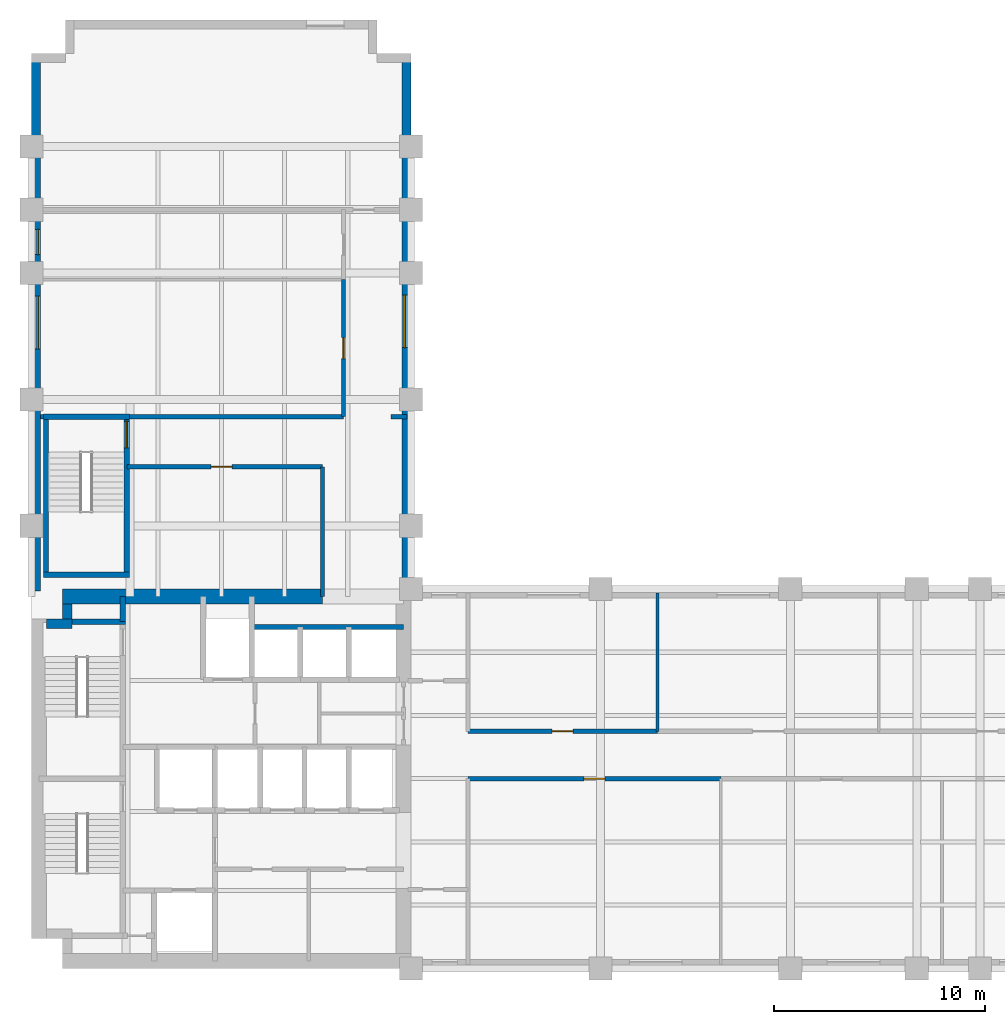
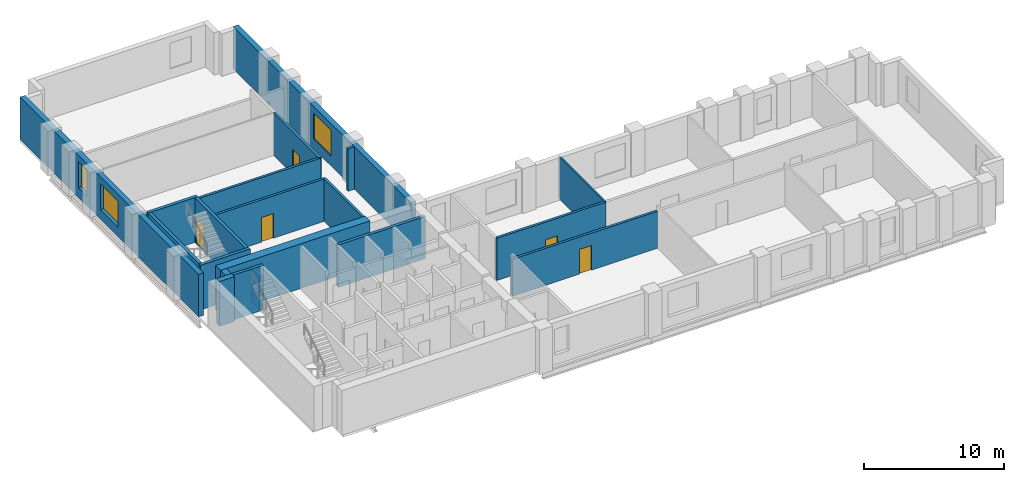
# One storey, part 4 of 7: 21 walls, 5 doors, 3 windows, 8 openings.
"""IFC4 building model written with IfcOpenShell, lengths in metres."""

from ifc_helpers import new_model, si_unit, direction, frame, frame_2d, origin, place, context, subcontext, project, spatial, rectangle, extrude, material, layer, layer_set, type_object, element, fill, save


model = new_model("IFC4")

# Units and contexts
model_context = context("Model", 3, precision=1e-05, world=origin(), true_north=direction((0.0, 1.0)))
body_context = subcontext(model_context, "Body", "Model", "MODEL_VIEW")
ifc_project = project(units=[si_unit("LENGTHUNIT", "METRE"), si_unit("AREAUNIT", "SQUARE_METRE"), si_unit("VOLUMEUNIT", "CUBIC_METRE"), si_unit("PLANEANGLEUNIT", "RADIAN"), si_unit("MASSUNIT", "GRAM", prefix="KILO")], contexts=[model_context])

# Site, building, storey
site_placement = place(None, origin())
site = spatial("IfcSite", under=ifc_project, at=site_placement, CompositionType="ELEMENT")
building_placement = place(site_placement, origin())
building = spatial("IfcBuilding", under=site, at=building_placement, Name="Mawjdan Bourse Tower", CompositionType="ELEMENT")
storey_placement = place(building_placement, frame((0.0, 0.0, 112.800048828125)))
storey = spatial("IfcBuildingStorey", under=building, at=storey_placement, Name="L26", CompositionType="ELEMENT", Elevation=112.800048828125)

# Wall, opening, window
ifc_material_1 = material(Name="Brick Masonry Buff", Category="masonry")
ifc_layer_1 = layer(ifc_material_1, 0.419921875)
ifc_layer_set_1 = layer_set([ifc_layer_1], Name="Brick Masonry Buff")
wall_type_1 = type_object("IfcWallType", Name="WL-BRK-BUFF-420", PredefinedType="STANDARD", material=ifc_layer_set_1)
wall_1_placement = place(storey_placement, frame((23.7900390625, 21.0, 0.0), z_axis=(0.0, 0.0, 1.0), x_axis=(0.0, 1.0, 0.0)))
wall_1 = element("IfcWall", 1, at=wall_1_placement, inside=storey, type_object=wall_type_1, Name="L26 Exterior Brick Wall 8", PredefinedType="STANDARD", context=body_context, shape_type="SweptSolid", body=[
    extrude(rectangle(XDim=25.39990234375, YDim=0.419921875, at=frame_2d((12.699951171875, 0.0))), origin(), (0.0, 0.0, 1.0), 3.699951171875),
])
opening_1_placement = place(wall_1_placement, frame((11.449951171875, 0.0, 0.85009765625)))
opening_1 = element("IfcOpeningElement", 2, at=opening_1_placement, cuts=wall_1, Name="Opening W-L26-05", PredefinedType="OPENING", context=body_context, shape_type="SweptSolid", body=[
    extrude(rectangle(XDim=2.5, YDim=2.25, at=frame_2d((1.25, 1.125))), frame((0.0, 0.219970703125, 0.0), z_axis=(0.0, -1.0, 0.0), x_axis=(1.0, 0.0, 0.0)), (0.0, 0.0, 1.0), 0.43994140625),
])
ifc_material_2 = material(Name="Solar-Control Clear Double Glazing", Category="glass")
window_type_1 = type_object("IfcWindowType", Name="WN-Z2-2500", PartitioningType="SINGLE_PANEL", PredefinedType="WINDOW", material=ifc_material_2)
window_1_placement = place(opening_1_placement, origin())
window_1 = element("IfcWindow", 3, at=window_1_placement, inside=storey, type_object=window_type_1, Name="L26 Deep-Set Masonry Window W-L26-05", OverallHeight=2.25, OverallWidth=2.5, PartitioningType="SINGLE_PANEL", PredefinedType="WINDOW", context=body_context, shape_type="SweptSolid", body=[
    extrude(rectangle(XDim=2.5, YDim=2.25, at=frame_2d((1.25, 1.125))), frame((0.0, 0.110107421875, 0.0), z_axis=(0.0, -1.0, 0.0), x_axis=(1.0, 0.0, 0.0)), (0.0, 0.0, 1.0), 0.06005859375),
])
fill(opening_1, window_1)

# Wall, openings, windows
wall_2_placement = place(storey_placement, frame((6.2099609375, 46.39990234375, 0.0), z_axis=(0.0, 0.0, 1.0), x_axis=(0.0, -1.0, 0.0)))
wall_2 = element("IfcWall", 4, at=wall_2_placement, inside=storey, type_object=wall_type_1, Name="L26 Exterior Brick Wall 14", PredefinedType="STANDARD", context=body_context, shape_type="SweptSolid", body=[
    extrude(rectangle(XDim=25.5, YDim=0.419921875, at=frame_2d((12.75, 0.0))), origin(), (0.0, 0.0, 1.0), 3.699951171875),
])
opening_2_placement = place(wall_2_placement, frame((11.5, 0.0, 0.85009765625)))
opening_2 = element("IfcOpeningElement", 5, at=opening_2_placement, cuts=wall_2, Name="Opening W-L26-07", PredefinedType="OPENING", context=body_context, shape_type="SweptSolid", body=[
    extrude(rectangle(XDim=2.5, YDim=2.25, at=frame_2d((1.25, 1.125))), frame((0.0, 0.219970703125, 0.0), z_axis=(0.0, -1.0, 0.0), x_axis=(1.0, 0.0, 0.0)), (0.0, 0.0, 1.0), 0.43994140625),
])
opening_3_placement = place(wall_2_placement, frame((8.336181640625, 0.0, 0.85009765625)))
opening_3 = element("IfcOpeningElement", 6, at=opening_3_placement, cuts=wall_2, Name="Opening W-L26-14", PredefinedType="OPENING", context=body_context, shape_type="SweptSolid", body=[
    extrude(rectangle(XDim=1.199951171875, YDim=2.25, at=frame_2d((0.60009765625, 1.125))), frame((0.0, 0.219970703125, 0.0), z_axis=(0.0, -1.0, 0.0), x_axis=(1.0, 0.0, 0.0)), (0.0, 0.0, 1.0), 0.43994140625),
])
window_type_2 = type_object("IfcWindowType", Name="WN-Z2-1200", PartitioningType="SINGLE_PANEL", PredefinedType="WINDOW", material=ifc_material_2)
window_2_placement = place(opening_3_placement, origin())
window_2 = element("IfcWindow", 7, at=window_2_placement, inside=storey, type_object=window_type_2, Name="L26 Deep-Set Masonry Window W-L26-14", OverallHeight=2.25, OverallWidth=1.199951171875, PartitioningType="SINGLE_PANEL", PredefinedType="WINDOW", context=body_context, shape_type="SweptSolid", body=[
    extrude(rectangle(XDim=1.199951171875, YDim=2.25, at=frame_2d((0.60009765625, 1.125))), frame((0.0, 0.110107421875, 0.0), z_axis=(0.0, -1.0, 0.0), x_axis=(1.0, 0.0, 0.0)), (0.0, 0.0, 1.0), 0.06005859375),
])
fill(opening_3, window_2)
window_3_placement = place(opening_2_placement, origin())
window_3 = element("IfcWindow", 8, at=window_3_placement, inside=storey, type_object=window_type_1, Name="L26 Deep-Set Masonry Window W-L26-07", OverallHeight=2.25, OverallWidth=2.5, PartitioningType="SINGLE_PANEL", PredefinedType="WINDOW", context=body_context, shape_type="SweptSolid", body=[
    extrude(rectangle(XDim=2.5, YDim=2.25, at=frame_2d((1.25, 1.125))), frame((0.0, 0.110107421875, 0.0), z_axis=(0.0, -1.0, 0.0), x_axis=(1.0, 0.0, 0.0)), (0.0, 0.0, 1.0), 0.06005859375),
])
fill(opening_2, window_3)

# Wall, opening, door
ifc_material_3 = material(Name="Gypsum Fireboard Assembly")
ifc_layer_2 = layer(ifc_material_3, 0.199951171875)
ifc_layer_set_2 = layer_set([ifc_layer_2], Name="Gypsum Fireboard Assembly")
wall_type_2 = type_object("IfcWallType", Name="WL-CMP-200", PredefinedType="PARTITIONING", material=ifc_layer_set_2)
wall_3_placement = place(storey_placement, frame((26.699951171875, 12.0, 0.0), z_axis=(0.0, 0.0, 1.0), x_axis=(1.0, 0.0, 0.0)))
wall_3 = element("IfcWall", 9, at=wall_3_placement, inside=storey, type_object=wall_type_2, Name="L26 Capital Markets Office Corridor Wall", PredefinedType="PARTITIONING", context=body_context, shape_type="SweptSolid", body=[
    extrude(rectangle(XDim=12.0, YDim=0.199951171875, at=frame_2d((6.0, 0.0))), origin(), (0.0, 0.0, 1.0), 3.22705078125),
])
opening_4_placement = place(wall_3_placement, frame((5.5, 0.0, 0.0)))
opening_4 = element("IfcOpeningElement", 10, at=opening_4_placement, cuts=wall_3, Name="Opening D-L26-22", PredefinedType="OPENING", context=body_context, shape_type="SweptSolid", body=[
    extrude(rectangle(XDim=1.0, YDim=2.14990234375, at=frame_2d((0.5, 1.074951171875))), frame((0.0, 0.10986328125, 0.0), z_axis=(0.0, -1.0, 0.0), x_axis=(1.0, 0.0, 0.0)), (0.0, 0.0, 1.0), 0.219970703125),
])
ifc_material_4 = material(Name="Hardwood Acoustic Leaf", Category="wood")
door_type_1 = type_object("IfcDoorType", Name="DR-OFC-1000", OperationType="NOTDEFINED", PredefinedType="DOOR", material=ifc_material_4)
door_1_placement = place(opening_4_placement, origin())
door_1 = element("IfcDoor", 11, at=door_1_placement, inside=storey, type_object=door_type_1, Name="L26 Capital Markets Office Door D-L26-22", OperationType="SINGLE_SWING_LEFT", OverallHeight=2.14990234375, OverallWidth=1.0, PredefinedType="DOOR", context=body_context, shape_type="SweptSolid", body=[
    extrude(rectangle(XDim=1.0, YDim=2.14990234375, at=frame_2d((0.5, 1.074951171875))), frame((0.0, 0.02490234375, 0.0), z_axis=(0.0, -1.0, 0.0), x_axis=(1.0, 0.0, 0.0)), (0.0, 0.0, 1.0), 0.050048828125),
])
fill(opening_4, door_1)

wall_4_placement = place(storey_placement, frame((26.699951171875, 14.25, 0.0), z_axis=(0.0, 0.0, 1.0), x_axis=(1.0, 0.0, 0.0)))
wall_4 = element("IfcWall", 12, at=wall_4_placement, inside=storey, type_object=wall_type_2, Name="L26 Executive Office Corridor Wall", PredefinedType="PARTITIONING", context=body_context, shape_type="SweptSolid", body=[
    extrude(rectangle(XDim=9.0, YDim=0.199951171875, at=frame_2d((4.5, 0.0))), origin(), (0.0, 0.0, 1.0), 3.68994140625),
])
opening_5_placement = place(wall_4_placement, frame((4.0, 0.0, 0.0)))
opening_5 = element("IfcOpeningElement", 13, at=opening_5_placement, cuts=wall_4, Name="Opening D-L26-25", PredefinedType="OPENING", context=body_context, shape_type="SweptSolid", body=[
    extrude(rectangle(XDim=1.0, YDim=2.14990234375, at=frame_2d((0.5, 1.074951171875))), frame((0.0, 0.10986328125, 0.0), z_axis=(0.0, -1.0, 0.0), x_axis=(1.0, 0.0, 0.0)), (0.0, 0.0, 1.0), 0.219970703125),
])
door_2_placement = place(opening_5_placement, origin())
door_2 = element("IfcDoor", 14, at=door_2_placement, inside=storey, type_object=door_type_1, Name="L26 Executive Office Door D-L26-25", OperationType="SINGLE_SWING_RIGHT", OverallHeight=2.14990234375, OverallWidth=1.0, PredefinedType="DOOR", context=body_context, shape_type="SweptSolid", body=[
    extrude(rectangle(XDim=1.0, YDim=2.14990234375, at=frame_2d((0.5, 1.074951171875))), frame((0.0, 0.02490234375, 0.0), z_axis=(0.0, -1.0, 0.0), x_axis=(1.0, 0.0, 0.0)), (0.0, 0.0, 1.0), 0.050048828125),
])
fill(opening_5, door_2)

wall_5_placement = place(storey_placement, frame((10.52001953125, 26.800048828125, 0.0), z_axis=(0.0, 0.0, 1.0), x_axis=(1.0, 0.0, 0.0)))
wall_5 = element("IfcWall", 15, at=wall_5_placement, inside=storey, type_object=wall_type_2, Name="L26 North Throat North Wall", PredefinedType="PARTITIONING", context=body_context, shape_type="SweptSolid", body=[
    extrude(rectangle(XDim=9.280029296875, YDim=0.199951171875, at=frame_2d((4.64013671875, 0.0))), origin(), (0.0, 0.0, 1.0), 3.68994140625),
])
opening_6_placement = place(wall_5_placement, frame((4.0, 0.0, 0.0)))
opening_6 = element("IfcOpeningElement", 16, at=opening_6_placement, cuts=wall_5, Name="Opening D-L26-29", PredefinedType="OPENING", context=body_context, shape_type="SweptSolid", body=[
    extrude(rectangle(XDim=1.0, YDim=2.14990234375, at=frame_2d((0.5, 1.074951171875))), frame((0.0, 0.10986328125, 0.0), z_axis=(0.0, -1.0, 0.0), x_axis=(1.0, 0.0, 0.0)), (0.0, 0.0, 1.0), 0.219970703125),
])
door_3_placement = place(opening_6_placement, origin())
door_3 = element("IfcDoor", 17, at=door_3_placement, inside=storey, type_object=door_type_1, Name="L26 North Throat Suite Door D-L26-29", OperationType="SINGLE_SWING_LEFT", OverallHeight=2.14990234375, OverallWidth=1.0, PredefinedType="DOOR", context=body_context, shape_type="SweptSolid", body=[
    extrude(rectangle(XDim=1.0, YDim=2.14990234375, at=frame_2d((0.5, 1.074951171875))), frame((0.0, 0.02490234375, 0.0), z_axis=(0.0, -1.0, 0.0), x_axis=(1.0, 0.0, 0.0)), (0.0, 0.0, 1.0), 0.050048828125),
])
fill(opening_6, door_3)

# Walls
wall_6_placement = place(storey_placement, frame((19.800048828125, 20.64990234375, 0.0), z_axis=(0.0, 0.0, 1.0), x_axis=(0.0, 1.0, 0.0)))
element("IfcWall", 18, at=wall_6_placement, inside=storey, type_object=wall_type_2, Name="L26 North Throat East Wall", PredefinedType="PARTITIONING", context=body_context, shape_type="SweptSolid", body=[
    extrude(rectangle(XDim=6.150146484375, YDim=0.199951171875, at=frame_2d((3.0751953125, 0.0))), origin(), (0.0, 0.0, 1.0), 3.68994140625),
])
wall_7_placement = place(storey_placement, frame((6.419921875, 29.179931640625, 0.0), z_axis=(0.0, 0.0, 1.0), x_axis=(1.0, 0.0, 0.0)))
element("IfcWall", 19, at=wall_7_placement, inside=storey, type_object=wall_type_2, Name="L26 North West Band ST3 West Return", PredefinedType="PARTITIONING", context=body_context, shape_type="SweptSolid", body=[
    extrude(rectangle(XDim=0.135009765625, YDim=0.199951171875, at=frame_2d((0.0673828125, 0.0))), origin(), (0.0, 0.0, 1.0), 3.68994140625),
])
wall_8_placement = place(storey_placement, frame((10.6298828125, 29.179931640625, 0.0), z_axis=(0.0, 0.0, 1.0), x_axis=(1.0, 0.0, 0.0)))
element("IfcWall", 20, at=wall_8_placement, inside=storey, type_object=wall_type_2, Name="L26 North West Band South Wall", PredefinedType="PARTITIONING", context=body_context, shape_type="SweptSolid", body=[
    extrude(rectangle(XDim=10.170166015625, YDim=0.199951171875, at=frame_2d((5.0849609375, 0.0))), origin(), (0.0, 0.0, 1.0), 3.68994140625),
])
wall_9_placement = place(storey_placement, frame((23.050048828125, 29.179931640625, 0.0), z_axis=(0.0, 0.0, 1.0), x_axis=(1.0, 0.0, 0.0)))
element("IfcWall", 21, at=wall_9_placement, inside=storey, type_object=wall_type_2, Name="L26 North East Band South Wall", PredefinedType="PARTITIONING", context=body_context, shape_type="SweptSolid", body=[
    extrude(rectangle(XDim=0.77001953125, YDim=0.199951171875, at=frame_2d((0.385009765625, 0.0))), origin(), (0.0, 0.0, 1.0), 3.68994140625),
])

# Wall, opening, door
wall_10_placement = place(storey_placement, frame((20.800048828125, 29.179931640625, 0.0), z_axis=(0.0, 0.0, 1.0), x_axis=(0.0, 1.0, 0.0)))
wall_10 = element("IfcWall", 22, at=wall_10_placement, inside=storey, type_object=wall_type_2, Name="L26 Corporate Finance Office Corridor Wall", PredefinedType="PARTITIONING", context=body_context, shape_type="SweptSolid", body=[
    extrude(rectangle(XDim=6.5, YDim=0.199951171875, at=frame_2d((3.25, 0.0))), origin(), (0.0, 0.0, 1.0), 3.68994140625),
])
opening_7_placement = place(wall_10_placement, frame((2.75, 0.0, 0.0)))
opening_7 = element("IfcOpeningElement", 23, at=opening_7_placement, cuts=wall_10, Name="Opening D-L26-30", PredefinedType="OPENING", context=body_context, shape_type="SweptSolid", body=[
    extrude(rectangle(XDim=1.0, YDim=2.14990234375, at=frame_2d((0.5, 1.074951171875))), frame((0.0, 0.10986328125, 0.0), z_axis=(0.0, -1.0, 0.0), x_axis=(1.0, 0.0, 0.0)), (0.0, 0.0, 1.0), 0.219970703125),
])
door_4_placement = place(opening_7_placement, origin())
door_4 = element("IfcDoor", 24, at=door_4_placement, inside=storey, type_object=door_type_1, Name="L26 Corporate Finance Office Door D-L26-30", OperationType="SINGLE_SWING_RIGHT", OverallHeight=2.14990234375, OverallWidth=1.0, PredefinedType="DOOR", context=body_context, shape_type="SweptSolid", body=[
    extrude(rectangle(XDim=1.0, YDim=2.14990234375, at=frame_2d((0.5, 1.074951171875))), frame((0.0, 0.02490234375, 0.0), z_axis=(0.0, -1.0, 0.0), x_axis=(1.0, 0.0, 0.0)), (0.0, 0.0, 1.0), 0.050048828125),
])
fill(opening_7, door_4)

# Walls
ifc_material_5 = material(Name="Concrete C60/75", Category="concrete")
ifc_layer_3 = layer(ifc_material_5, 0.449951171875)
ifc_layer_set_3 = layer_set([ifc_layer_3], Name="Concrete C60/75")
wall_type_3 = type_object("IfcWallType", Name="WL-CORE-450", PredefinedType="SHEAR", material=ifc_layer_set_3)
wall_11_placement = place(storey_placement, frame((6.699951171875, 19.35009765625, 0.0), z_axis=(0.0, 0.0, 1.0), x_axis=(1.0, 0.0, 0.0)))
element("IfcWall", 25, at=wall_11_placement, inside=storey, type_object=wall_type_3, Name="L26 Rear Core Shear Wall NW-X", PredefinedType="SHEAR", context=body_context, shape_type="SweptSolid", body=[
    extrude(rectangle(XDim=1.22509765625, YDim=0.449951171875, at=frame_2d((0.612548828125, 0.0))), origin(), (0.0, 0.0, 1.0), 3.89990234375),
])
wall_12_placement = place(storey_placement, frame((7.699951171875, 19.574951171875, 0.0), z_axis=(0.0, 0.0, 1.0), x_axis=(0.0, 1.0, 0.0)))
element("IfcWall", 26, at=wall_12_placement, inside=storey, type_object=wall_type_3, Name="L26 Rear Core Shear Wall NW-Y", PredefinedType="SHEAR", context=body_context, shape_type="SweptSolid", body=[
    extrude(rectangle(XDim=0.72509765625, YDim=0.449951171875, at=frame_2d((0.362548828125, 0.0))), origin(), (0.0, 0.0, 1.0), 3.89990234375),
])
ifc_material_6 = material(Name="Concrete C70/85", Category="concrete")
ifc_layer_4 = layer(ifc_material_6, 0.699951171875)
ifc_layer_set_4 = layer_set([ifc_layer_4], Name="Concrete C70/85")
wall_type_4 = type_object("IfcWallType", Name="WL-CORE-700", PredefinedType="SHEAR", material=ifc_layer_set_4)
wall_13_placement = place(storey_placement, frame((7.47509765625, 20.64990234375, 0.0), z_axis=(0.0, 0.0, 1.0), x_axis=(1.0, 0.0, 0.0)))
element("IfcWall", 27, at=wall_13_placement, inside=storey, type_object=wall_type_4, Name="L26 Rear Core Shear Wall N", PredefinedType="SHEAR", context=body_context, shape_type="SweptSolid", body=[
    extrude(rectangle(XDim=12.324951171875, YDim=0.699951171875, at=frame_2d((6.16259765625, 0.0))), origin(), (0.0, 0.0, 1.0), 3.89990234375),
])
ifc_material_7 = material(Name="Gypsum Partition")
ifc_layer_5 = layer(ifc_material_7, 0.125)
ifc_layer_set_5 = layer_set([ifc_layer_5], Name="Gypsum Partition")
wall_type_5 = type_object("IfcWallType", Name="WL-PRT-125", PredefinedType="PARTITIONING", material=ifc_layer_set_5)
wall_14_placement = place(storey_placement, frame((35.699951171875, 14.25, 0.0), z_axis=(0.0, 0.0, 1.0), x_axis=(0.0, 1.0, 0.0)))
element("IfcWall", 28, at=wall_14_placement, inside=storey, type_object=wall_type_5, Name="L26 Conference Room Partition", PredefinedType="PARTITIONING", context=body_context, shape_type="SweptSolid", body=[
    extrude(rectangle(XDim=6.570068359375, YDim=0.125, at=frame_2d((3.28515625, 0.0))), origin(), (0.0, 0.0, 1.0), 3.68994140625),
])
ifc_material_8 = material(Name="Concrete C50/60", Category="concrete")
ifc_layer_6 = layer(ifc_material_8, 0.25)
ifc_layer_set_6 = layer_set([ifc_layer_6], Name="Concrete C50/60")
wall_type_6 = type_object("IfcWallType", Name="WL-SHFT-250", PredefinedType="PARTITIONING", material=ifc_layer_set_6)
wall_15_placement = place(storey_placement, frame((10.330078125, 19.449951171875, 0.0), z_axis=(0.0, 0.0, 1.0), x_axis=(0.0, 1.0, 0.0)))
element("IfcWall", 29, at=wall_15_placement, inside=storey, type_object=wall_type_6, Name="L26 NW Riser East Wall", PredefinedType="PARTITIONING", context=body_context, shape_type="SweptSolid", body=[
    extrude(rectangle(XDim=1.199951171875, YDim=0.25, at=frame_2d((0.60009765625, 0.0))), origin(), (0.0, 0.0, 1.0), 2.9169921875),
])
wall_16_placement = place(storey_placement, frame((16.449951171875, 19.199951171875, 0.0), z_axis=(0.0, 0.0, 1.0), x_axis=(1.0, 0.0, 0.0)))
element("IfcWall", 30, at=wall_16_placement, inside=storey, type_object=wall_type_6, Name="L26 PH Bank North Shaft Back Wall", PredefinedType="PARTITIONING", context=body_context, shape_type="SweptSolid", body=[
    extrude(rectangle(XDim=7.199951171875, YDim=0.25, at=frame_2d((3.60009765625, 0.0))), origin(), (0.0, 0.0, 1.0), 3.68994140625),
])
ifc_layer_7 = layer(ifc_material_8, 0.25)
ifc_layer_set_7 = layer_set([ifc_layer_7], Name="Concrete C50/60")
wall_type_7 = type_object("IfcWallType", Name="WL-STRW-250", PredefinedType="SHEAR", material=ifc_layer_set_7)
wall_17_placement = place(storey_placement, frame((7.699951171875, 19.449951171875, 0.0), z_axis=(0.0, 0.0, 1.0), x_axis=(1.0, 0.0, 0.0)))
element("IfcWall", 31, at=wall_17_placement, inside=storey, type_object=wall_type_7, Name="L26 Stairwell ST2 North Shaft Wall", PredefinedType="SHEAR", context=body_context, shape_type="SweptSolid", body=[
    extrude(rectangle(XDim=2.755126953125, YDim=0.25, at=frame_2d((1.37744140625, 0.0))), origin(), (0.0, 0.0, 1.0), 3.89990234375),
])
for number, where, z_axis, x_axis, name in (
    (32, (6.554931640625, 21.679931640625, 0.0), (0.0, 0.0, 1.0), (1.0, 0.0, 0.0), "L26 ST3 South Shaft Wall"),
    (33, (6.554931640625, 29.179931640625, 0.0), (0.0, 0.0, 1.0), (1.0, 0.0, 0.0), "L26 ST3 North Shaft Wall"),
):
    element("IfcWall", number, at=place(storey_placement, frame(where, z_axis=z_axis, x_axis=x_axis)), inside=storey, type_object=wall_type_7, Name=name, PredefinedType="SHEAR", context=body_context, shape_type="SweptSolid", body=[
        extrude(rectangle(XDim=4.090087890625, YDim=0.25, at=frame_2d((2.044921875, 0.0))), origin(), (0.0, 0.0, 1.0), 3.89990234375),
    ])
wall_18_placement = place(storey_placement, frame((6.679931640625, 21.679931640625, 0.0), z_axis=(0.0, 0.0, 1.0), x_axis=(0.0, 1.0, 0.0)))
element("IfcWall", 34, at=wall_18_placement, inside=storey, type_object=wall_type_7, Name="L26 ST3 West Shaft Wall", PredefinedType="SHEAR", context=body_context, shape_type="SweptSolid", body=[
    extrude(rectangle(XDim=7.5, YDim=0.25, at=frame_2d((3.75, 0.0))), origin(), (0.0, 0.0, 1.0), 3.89990234375),
])

# Wall, opening, door
wall_19_placement = place(storey_placement, frame((10.52001953125, 21.679931640625, 0.0), z_axis=(0.0, 0.0, 1.0), x_axis=(0.0, 1.0, 0.0)))
wall_19 = element("IfcWall", 35, at=wall_19_placement, inside=storey, type_object=wall_type_7, Name="L26 ST3 East Shaft Wall", PredefinedType="SHEAR", context=body_context, shape_type="SweptSolid", body=[
    extrude(rectangle(XDim=7.5, YDim=0.25, at=frame_2d((3.75, 0.0))), origin(), (0.0, 0.0, 1.0), 3.89990234375),
])
opening_8_placement = place(wall_19_placement, frame((6.02001953125, 0.0, 0.0)))
opening_8 = element("IfcOpeningElement", 36, at=opening_8_placement, cuts=wall_19, Name="Opening SD-L26-19", PredefinedType="OPENING", context=body_context, shape_type="SweptSolid", body=[
    extrude(rectangle(XDim=1.25, YDim=2.199951171875, at=frame_2d((0.625, 1.10009765625))), frame((0.0, 0.135009765625, 0.0), z_axis=(0.0, -1.0, 0.0), x_axis=(1.0, 0.0, 0.0)), (0.0, 0.0, 1.0), 0.27001953125),
])
ifc_material_9 = material(Name="Fire-Rated Steel Leaf", Category="steel")
door_type_2 = type_object("IfcDoorType", Name="FD-ST-1250", OperationType="NOTDEFINED", PredefinedType="DOOR", material=ifc_material_9)
door_5_placement = place(opening_8_placement, origin())
door_5 = element("IfcDoor", 37, at=door_5_placement, inside=storey, type_object=door_type_2, Name="L26 Stair ST3 Fire Door SD-L26-19", OperationType="SINGLE_SWING_RIGHT", OverallHeight=2.199951171875, OverallWidth=1.25, PredefinedType="DOOR", context=body_context, shape_type="SweptSolid", body=[
    extrude(rectangle(XDim=1.25, YDim=2.199951171875, at=frame_2d((0.625, 1.10009765625))), frame((0.0, 0.02490234375, 0.0), z_axis=(0.0, -1.0, 0.0), x_axis=(1.0, 0.0, 0.0)), (0.0, 0.0, 1.0), 0.050048828125),
])
fill(opening_8, door_5)

save(model, "model.ifc")
